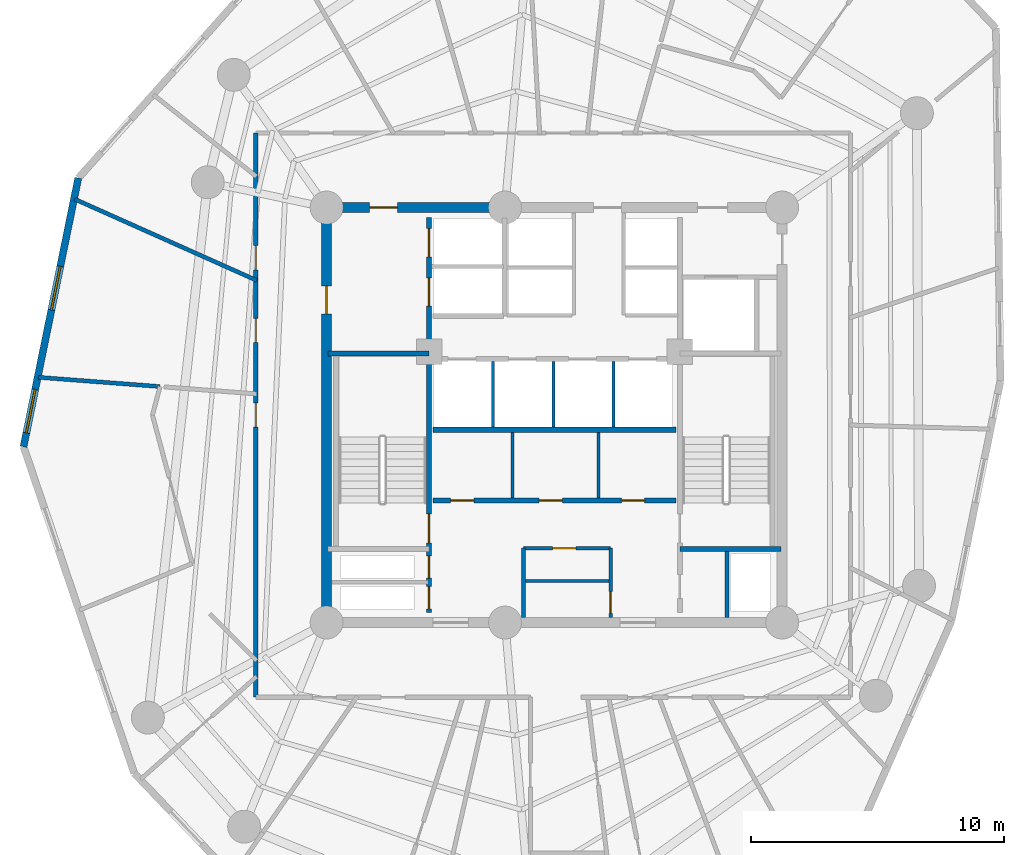
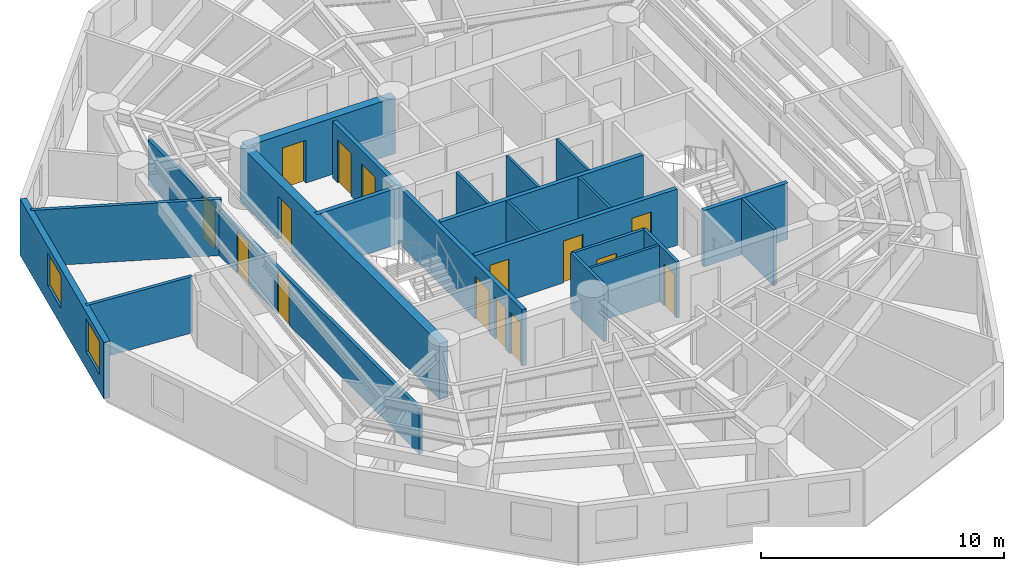
# One storey, part 4 of 8: 21 walls, 15 doors, 2 windows, 17 openings.
"""IFC4 building model written with IfcOpenShell, lengths in metres."""

from ifc_helpers import new_model, si_unit, direction, frame, frame_2d, origin, origin_with_axes, place, context, subcontext, project, spatial, rectangle, extrude, source, transform, mapped, material, layer, layer_set, type_object, element, fill, save


model = new_model("IFC4")

# Units and contexts
model_context = context("Model", 3, precision=1e-05, world=origin(), true_north=direction((0.0, 1.0)))
body_context = subcontext(model_context, "Body", "Model", "MODEL_VIEW")
ifc_project = project(units=[si_unit("LENGTHUNIT", "METRE"), si_unit("AREAUNIT", "SQUARE_METRE"), si_unit("VOLUMEUNIT", "CUBIC_METRE"), si_unit("PLANEANGLEUNIT", "RADIAN"), si_unit("MASSUNIT", "GRAM", prefix="KILO")], contexts=[model_context])

# Site, building, storey
site_placement = place(None, origin())
site = spatial("IfcSite", under=ifc_project, at=site_placement, CompositionType="ELEMENT")
building_placement = place(site_placement, origin())
building = spatial("IfcBuilding", under=site, at=building_placement, Name="Karkom Vertical University and Central Library", CompositionType="ELEMENT")
storey_placement = place(building_placement, frame((0.0, 0.0, 159.60009765625)))
storey = spatial("IfcBuildingStorey", under=building, at=storey_placement, Name="L45", CompositionType="ELEMENT", Elevation=159.60009765625)

# Wall, openings, windows
ifc_material_1 = material(Name="Brick-faced precast concrete C45/55", Category="masonry")
ifc_layer_1 = layer(ifc_material_1, 0.280029296875)
ifc_layer_set_1 = layer_set([ifc_layer_1], Name="Brick-faced precast concrete C45/55")
wall_type_1 = type_object("IfcWallType", Name="ENV-WL-BRK-280", PredefinedType="SOLIDWALL", material=ifc_layer_set_1)
wall_1_placement = place(storey_placement, frame((9.686279296875, 35.86572265625, 0.0), z_axis=(0.0, 0.0, 1.0), x_axis=(-0.199709805004, -0.979855088156, 0.0)))
wall_1 = element("IfcWall", 1, at=wall_1_placement, inside=storey, type_object=wall_type_1, Name="Level 45 Brick-Faced Precast Facade Wall 01", PredefinedType="SOLIDWALL", context=body_context, shape_type="SweptSolid", body=[
    extrude(rectangle(XDim=10.839599609375, YDim=0.280029296875, at=frame_2d((5.419921875, 0.0))), origin(), (0.0, 0.0, 1.0), 2.824951171875),
])
opening_1_placement = place(wall_1_placement, frame((3.565185546875, 0.0, 0.85009765625)))
opening_1 = element("IfcOpeningElement", 2, at=opening_1_placement, cuts=wall_1, Name="Opening WN-08", PredefinedType="OPENING", context=body_context, shape_type="SweptSolid", body=[
    extrude(rectangle(XDim=1.75, YDim=1.64990234375, at=frame_2d((0.875, 0.824951171875))), frame((0.0, 0.14990234375, 0.0), z_axis=(0.0, -1.0, 0.0), x_axis=(1.0, 0.0, 0.0)), (0.0, 0.0, 1.0), 0.300048828125),
])
opening_2_placement = place(wall_1_placement, frame((8.528564453125, 0.0, 0.85009765625)))
opening_2 = element("IfcOpeningElement", 3, at=opening_2_placement, cuts=wall_1, Name="Opening WN-08", PredefinedType="OPENING", context=body_context, shape_type="SweptSolid", body=[
    extrude(rectangle(XDim=1.75, YDim=1.64990234375, at=frame_2d((0.875, 0.824951171875))), frame((0.0, 0.14990234375, 0.0), z_axis=(0.0, -1.0, 0.0), x_axis=(1.0, 0.0, 0.0)), (0.0, 0.0, 1.0), 0.300048828125),
])
ifc_material_2 = material(Name="Aluminium thermal-break frame with solar-control IGU", Category="aluminium")
window_type = type_object("IfcWindowType", Name="ENV-WIN-WN-08", PartitioningType="SINGLE_PANEL", PredefinedType="WINDOW", material=ifc_material_2)
shared_shape_1 = source(origin_with_axes(), body_context, "Body", "SweptSolid", [
    extrude(rectangle(XDim=1.75, YDim=1.64990234375, at=frame_2d((0.875, 0.824951171875))), frame((0.0, 0.030029296875, 0.0), z_axis=(0.0, -1.0, 0.0), x_axis=(1.0, 0.0, 0.0)), (0.0, 0.0, 1.0), 0.06005859375),
])
window_1_placement = place(opening_1_placement, origin())
window_1 = element("IfcWindow", 4, at=window_1_placement, inside=storey, type_object=window_type, Name="Level 45 Punched Window 1.1", OverallHeight=1.64990234375, OverallWidth=1.75, PartitioningType="SINGLE_PANEL", PredefinedType="WINDOW", context=body_context, shape_type="MappedRepresentation", body=[
    mapped(shared_shape_1, transform((0.0, 0.0, 0.0), scale=1.0)),
])
fill(opening_1, window_1)
window_2_placement = place(opening_2_placement, origin())
window_2 = element("IfcWindow", 5, at=window_2_placement, inside=storey, type_object=window_type, Name="Level 45 Punched Window 1.2", OverallHeight=1.64990234375, OverallWidth=1.75, PartitioningType="SINGLE_PANEL", PredefinedType="WINDOW", context=body_context, shape_type="MappedRepresentation", body=[
    mapped(shared_shape_1, transform((0.0, 0.0, 0.0), scale=1.0)),
])
fill(opening_2, window_2)

# Wall, openings, doors
ifc_material_3 = material(Name="Insulated metal-stud drywall 160mm", Category="gypsum")
ifc_layer_2 = layer(ifc_material_3, 0.159912109375)
ifc_layer_set_2 = layer_set([ifc_layer_2], Name="Insulated metal-stud drywall 160mm")
wall_type_2 = type_object("IfcWallType", Name="INT-WL-COR-160", PredefinedType="PARTITIONING", material=ifc_layer_set_2)
wall_2_placement = place(storey_placement, frame((16.699951171875, 15.35009765625, 0.0), z_axis=(0.0, 0.0, 1.0), x_axis=(0.0, 1.0, 0.0)))
wall_2 = element("IfcWall", 6, at=wall_2_placement, inside=storey, type_object=wall_type_2, Name="Level 45 Interior Partition Wall L45-CORW-CW-002", PredefinedType="PARTITIONING", context=body_context, shape_type="SweptSolid", body=[
    extrude(rectangle(XDim=22.2998046875, YDim=0.159912109375, at=frame_2d((11.14990234375, 0.0))), origin(), (0.0, 0.0, 1.0), 2.27490234375),
])
opening_3_placement = place(wall_2_placement, frame((10.675048828125, 0.0, 0.0)))
opening_3 = element("IfcOpeningElement", 7, at=opening_3_placement, cuts=wall_2, Name="Opening FD-RM2", PredefinedType="OPENING", context=body_context, shape_type="SweptSolid", body=[
    extrude(rectangle(XDim=0.9599609375, YDim=2.14990234375, at=frame_2d((0.47998046875, 1.074951171875))), frame((0.0, 0.08984375, 0.0), z_axis=(0.0, -1.0, 0.0), x_axis=(1.0, 0.0, 0.0)), (0.0, 0.0, 1.0), 0.179931640625),
])
opening_4_placement = place(wall_2_placement, frame((16.889892578125, 0.0, 0.0)))
opening_4 = element("IfcOpeningElement", 8, at=opening_4_placement, cuts=wall_2, Name="Opening D-RM1", PredefinedType="OPENING", context=body_context, shape_type="SweptSolid", body=[
    extrude(rectangle(XDim=0.949951171875, YDim=2.14990234375, at=frame_2d((0.47509765625, 1.074951171875))), frame((0.0, 0.08984375, 0.0), z_axis=(0.0, -1.0, 0.0), x_axis=(1.0, 0.0, 0.0)), (0.0, 0.0, 1.0), 0.179931640625),
])
opening_5_placement = place(wall_2_placement, frame((14.02001953125, 0.0, 0.0)))
opening_5 = element("IfcOpeningElement", 9, at=opening_5_placement, cuts=wall_2, Name="Opening D-RM1", PredefinedType="OPENING", context=body_context, shape_type="SweptSolid", body=[
    extrude(rectangle(XDim=0.949951171875, YDim=2.14990234375, at=frame_2d((0.47509765625, 1.074951171875))), frame((0.0, 0.08984375, 0.0), z_axis=(0.0, -1.0, 0.0), x_axis=(1.0, 0.0, 0.0)), (0.0, 0.0, 1.0), 0.179931640625),
])
ifc_material_4 = material(Name="Fire-rated oak veneer door", Category="wood")
door_type_1 = type_object("IfcDoorType", Name="INT-DR-FRM2", OperationType="NOTDEFINED", PredefinedType="DOOR", material=ifc_material_4)
shared_shape_2 = source(origin_with_axes(), body_context, "Body", "SweptSolid", [
    extrude(rectangle(XDim=0.9599609375, YDim=2.14990234375, at=frame_2d((0.47998046875, 1.074951171875))), frame((0.0, 0.02490234375, 0.0), z_axis=(0.0, -1.0, 0.0), x_axis=(1.0, 0.0, 0.0)), (0.0, 0.0, 1.0), 0.050048828125),
])
door_1_placement = place(opening_3_placement, origin())
door_1 = element("IfcDoor", 10, at=door_1_placement, inside=storey, type_object=door_type_1, Name="Level 45 Room Entry Door 010", OperationType="SINGLE_SWING_LEFT", OverallHeight=2.14990234375, OverallWidth=0.9599609375, PredefinedType="DOOR", context=body_context, shape_type="MappedRepresentation", body=[
    mapped(shared_shape_2, transform((0.0, 0.0, 0.0), scale=1.0)),
])
fill(opening_3, door_1)
ifc_material_5 = material(Name="Solid-core oak veneer door", Category="wood")
door_type_2 = type_object("IfcDoorType", Name="INT-DR-RM1", OperationType="NOTDEFINED", PredefinedType="DOOR", material=ifc_material_5)
shared_shape_3 = source(origin_with_axes(), body_context, "Body", "SweptSolid", [
    extrude(rectangle(XDim=0.949951171875, YDim=2.14990234375, at=frame_2d((0.47509765625, 1.074951171875))), frame((0.0, 0.02490234375, 0.0), z_axis=(0.0, -1.0, 0.0), x_axis=(1.0, 0.0, 0.0)), (0.0, 0.0, 1.0), 0.050048828125),
])
door_2_placement = place(opening_4_placement, origin())
door_2 = element("IfcDoor", 11, at=door_2_placement, inside=storey, type_object=door_type_2, Name="Level 45 Room Entry Door 240", OperationType="SINGLE_SWING_LEFT", OverallHeight=2.14990234375, OverallWidth=0.949951171875, PredefinedType="DOOR", context=body_context, shape_type="MappedRepresentation", body=[
    mapped(shared_shape_3, transform((0.0, 0.0, 0.0), scale=1.0)),
])
fill(opening_4, door_2)
door_3_placement = place(opening_5_placement, origin())
door_3 = element("IfcDoor", 12, at=door_3_placement, inside=storey, type_object=door_type_2, Name="Level 45 Room Entry Door 250", OperationType="SINGLE_SWING_RIGHT", OverallHeight=2.14990234375, OverallWidth=0.949951171875, PredefinedType="DOOR", context=body_context, shape_type="MappedRepresentation", body=[
    mapped(shared_shape_3, transform((0.0, 0.0, 0.0), scale=1.0)),
])
fill(opening_5, door_3)

# Walls
wall_3_placement = place(storey_placement, frame((16.7412109375, 31.817626953125, 0.0), z_axis=(0.0, 0.0, 1.0), x_axis=(-0.913075700015, 0.407790100471, 0.0)))
element("IfcWall", 13, at=wall_3_placement, inside=storey, type_object=wall_type_2, Name="Level 45 Interior Partition Wall L45-PW-038", PredefinedType="PARTITIONING", context=body_context, shape_type="SweptSolid", body=[
    extrude(rectangle(XDim=7.883056640625, YDim=0.159912109375, at=frame_2d((3.94140625, 0.0))), origin(), (0.0, 0.0, 1.0), 2.824951171875),
])
wall_4_placement = place(storey_placement, frame((8.107421875, 27.990966796875, 0.0), z_axis=(0.0, 0.0, 1.0), x_axis=(0.997119600908, -0.075845246956, 0.0)))
element("IfcWall", 14, at=wall_4_placement, inside=storey, type_object=wall_type_2, Name="Level 45 Interior Partition Wall L45-PW-004", PredefinedType="PARTITIONING", context=body_context, shape_type="SweptSolid", body=[
    extrude(rectangle(XDim=4.8251953125, YDim=0.159912109375, at=frame_2d((2.41259765625, 0.0))), origin(), (0.0, 0.0, 1.0), 2.824951171875),
])
ifc_material_6 = material(Name="Moisture-resistant drywall 120mm", Category="gypsum")
ifc_layer_3 = layer(ifc_material_6, 0.1201171875)
ifc_layer_set_3 = layer_set([ifc_layer_3], Name="Moisture-resistant drywall 120mm")
wall_type_3 = type_object("IfcWallType", Name="INT-WL-INT-120", PredefinedType="PARTITIONING", material=ifc_layer_set_3)
wall_5_placement = place(storey_placement, frame((27.280029296875, 19.93994140625, 0.0), z_axis=(0.0, 0.0, 1.0), x_axis=(1.0, 0.0, 0.0)))
element("IfcWall", 15, at=wall_5_placement, inside=storey, type_object=wall_type_3, Name="Level 45 Interior Partition Wall L45-CW-K4-DIV", PredefinedType="PARTITIONING", context=body_context, shape_type="SweptSolid", body=[
    extrude(rectangle(XDim=3.43994140625, YDim=0.1201171875, at=frame_2d((1.719970703125, 0.0))), origin(), (0.0, 0.0, 1.0), 2.824951171875),
])
for number, where, z_axis, x_axis, name in (
    (16, (26.85009765625, 23.22705078125, 0.0), (0.0, 0.0, 1.0), (0.0, 1.0, 0.0), "Level 45 Interior Partition Wall L45-CW-B1-K4A"),
    (17, (30.25, 23.22705078125, 0.0), (0.0, 0.0, 1.0), (0.0, 1.0, 0.0), "Level 45 Interior Partition Wall L45-CW-B1-K4B"),
):
    element("IfcWall", number, at=place(storey_placement, frame(where, z_axis=z_axis, x_axis=x_axis)), inside=storey, type_object=wall_type_3, Name=name, PredefinedType="PARTITIONING", context=body_context, shape_type="SweptSolid", body=[
        extrude(rectangle(XDim=2.586669921875, YDim=0.1201171875, at=frame_2d((1.29345703125, 0.0))), origin(), (0.0, 0.0, 1.0), 2.824951171875),
    ])
ifc_layer_4 = layer(ifc_material_6, 0.1201171875)
ifc_layer_set_4 = layer_set([ifc_layer_4], Name="Moisture-resistant drywall 120mm")
wall_type_4 = type_object("IfcWallType", Name="INT-WL-INT-120H", PredefinedType="PARTITIONING", material=ifc_layer_set_4)
for number, where, z_axis, x_axis, name in (
    (18, (26.080078125, 26.02001953125, 0.0), (0.0, 0.0, 1.0), (0.0, 1.0, 0.0), "Level 45 Interior Partition Wall L45-CW-PM-DIV1"),
    (19, (28.4599609375, 26.02001953125, 0.0), (0.0, 0.0, 1.0), (0.0, 1.0, 0.0), "Level 45 Interior Partition Wall L45-CW-PM-DIV2"),
    (20, (30.840087890625, 26.02001953125, 0.0), (0.0, 0.0, 1.0), (0.0, 1.0, 0.0), "Level 45 Interior Partition Wall L45-CW-PM-DIV3"),
):
    element("IfcWall", number, at=place(storey_placement, frame(where, z_axis=z_axis, x_axis=x_axis)), inside=storey, type_object=wall_type_4, Name=name, PredefinedType="PARTITIONING", context=body_context, shape_type="SweptSolid", body=[
        extrude(rectangle(XDim=2.60009765625, YDim=0.1201171875, at=frame_2d((1.300048828125, 0.0))), origin(), (0.0, 0.0, 1.0), 2.824951171875),
    ])

# Wall, opening, door
ifc_material_7 = material(Name="Metal-stud gypsum partition 140mm", Category="gypsum")
ifc_layer_5 = layer(ifc_material_7, 0.139892578125)
ifc_layer_set_5 = layer_set([ifc_layer_5], Name="Metal-stud gypsum partition 140mm")
wall_type_5 = type_object("IfcWallType", Name="INT-WL-SUB-140", PredefinedType="PARTITIONING", material=ifc_layer_set_5)
wall_6_placement = place(storey_placement, frame((27.280029296875, 21.239990234375, 0.0), z_axis=(0.0, 0.0, 1.0), x_axis=(1.0, 0.0, 0.0)))
wall_6 = element("IfcWall", 21, at=wall_6_placement, inside=storey, type_object=wall_type_5, Name="Level 45 Interior Partition Wall L45-CW-KBAY-N", PredefinedType="PARTITIONING", context=body_context, shape_type="SweptSolid", body=[
    extrude(rectangle(XDim=3.43994140625, YDim=0.139892578125, at=frame_2d((1.719970703125, 0.0))), origin(), (0.0, 0.0, 1.0), 2.824951171875),
])
opening_6_placement = place(wall_6_placement, frame((1.14990234375, 0.0, 0.0)))
opening_6 = element("IfcOpeningElement", 22, at=opening_6_placement, cuts=wall_6, Name="Opening D-SVC1", PredefinedType="OPENING", context=body_context, shape_type="SweptSolid", body=[
    extrude(rectangle(XDim=0.919921875, YDim=2.10009765625, at=frame_2d((0.4599609375, 1.050048828125))), frame((0.0, 0.080078125, 0.0), z_axis=(0.0, -1.0, 0.0), x_axis=(1.0, 0.0, 0.0)), (0.0, 0.0, 1.0), 0.159912109375),
])
ifc_material_8 = material(Name="Painted timber service door", Category="wood")
door_type_3 = type_object("IfcDoorType", Name="INT-DR-SVC1", OperationType="NOTDEFINED", PredefinedType="DOOR", material=ifc_material_8)
shared_shape_4 = source(origin_with_axes(), body_context, "Body", "SweptSolid", [
    extrude(rectangle(XDim=0.919921875, YDim=2.10009765625, at=frame_2d((0.4599609375, 1.050048828125))), frame((0.0, 0.02490234375, 0.0), z_axis=(0.0, -1.0, 0.0), x_axis=(1.0, 0.0, 0.0)), (0.0, 0.0, 1.0), 0.050048828125),
])
door_4_placement = place(opening_6_placement, origin())
door_4 = element("IfcDoor", 23, at=door_4_placement, inside=storey, type_object=door_type_3, Name="Level 45 Valve Cupboard Door", OperationType="SINGLE_SWING_RIGHT", OverallHeight=2.10009765625, OverallWidth=0.919921875, PredefinedType="DOOR", context=body_context, shape_type="MappedRepresentation", body=[
    mapped(shared_shape_4, transform((0.0, 0.0, 0.0), scale=1.0)),
])
fill(opening_6, door_4)

# Wall
wall_7_placement = place(storey_placement, frame((27.280029296875, 18.507080078125, 0.0), z_axis=(0.0, 0.0, 1.0), x_axis=(0.0, 1.0, 0.0)))
element("IfcWall", 24, at=wall_7_placement, inside=storey, type_object=wall_type_5, Name="Level 45 Interior Partition Wall L45-CW-KBAY-W", PredefinedType="PARTITIONING", context=body_context, shape_type="SweptSolid", body=[
    extrude(rectangle(XDim=2.73291015625, YDim=0.139892578125, at=frame_2d((1.366455078125, 0.0))), origin(), (0.0, 0.0, 1.0), 2.824951171875),
])

# Wall, opening, door
wall_8_placement = place(storey_placement, frame((30.719970703125, 18.507080078125, 0.0), z_axis=(0.0, 0.0, 1.0), x_axis=(0.0, 1.0, 0.0)))
wall_8 = element("IfcWall", 25, at=wall_8_placement, inside=storey, type_object=wall_type_5, Name="Level 45 Interior Partition Wall L45-CW-KBAY-E", PredefinedType="PARTITIONING", context=body_context, shape_type="SweptSolid", body=[
    extrude(rectangle(XDim=2.73291015625, YDim=0.139892578125, at=frame_2d((1.366455078125, 0.0))), origin(), (0.0, 0.0, 1.0), 2.824951171875),
])
opening_7_placement = place(wall_8_placement, frame((0.159912109375, 0.0, 0.0)))
opening_7 = element("IfcOpeningElement", 26, at=opening_7_placement, cuts=wall_8, Name="Opening FD-BTH1", PredefinedType="OPENING", context=body_context, shape_type="SweptSolid", body=[
    extrude(rectangle(XDim=0.860107421875, YDim=2.10009765625, at=frame_2d((0.43017578125, 1.050048828125))), frame((0.0, 0.080078125, 0.0), z_axis=(0.0, -1.0, 0.0), x_axis=(1.0, 0.0, 0.0)), (0.0, 0.0, 1.0), 0.159912109375),
])
ifc_material_9 = material(Name="Fire-rated moisture-resistant oak door", Category="wood")
door_type_4 = type_object("IfcDoorType", Name="INT-DR-FBTH1", OperationType="NOTDEFINED", PredefinedType="DOOR", material=ifc_material_9)
shared_shape_5 = source(origin_with_axes(), body_context, "Body", "SweptSolid", [
    extrude(rectangle(XDim=0.860107421875, YDim=2.10009765625, at=frame_2d((0.43017578125, 1.050048828125))), frame((0.0, 0.02490234375, 0.0), z_axis=(0.0, -1.0, 0.0), x_axis=(1.0, 0.0, 0.0)), (0.0, 0.0, 1.0), 0.050048828125),
])
door_5_placement = place(opening_7_placement, origin())
door_5 = element("IfcDoor", 27, at=door_5_placement, inside=storey, type_object=door_type_4, Name="Level 45 Metering Cupboard Door", OperationType="SINGLE_SWING_LEFT", OverallHeight=2.10009765625, OverallWidth=0.860107421875, PredefinedType="DOOR", context=body_context, shape_type="MappedRepresentation", body=[
    mapped(shared_shape_5, transform((0.0, 0.0, 0.0), scale=1.0)),
])
fill(opening_7, door_5)

# Wall
ifc_layer_6 = layer(ifc_material_7, 0.139892578125)
ifc_layer_set_6 = layer_set([ifc_layer_6], Name="Metal-stud gypsum partition 140mm")
wall_type_6 = type_object("IfcWallType", Name="INT-WL-SUB-140H", PredefinedType="PARTITIONING", material=ifc_layer_set_6)
wall_9_placement = place(storey_placement, frame((35.320068359375, 18.507080078125, 0.0), z_axis=(0.0, 0.0, 1.0), x_axis=(0.0, 1.0, 0.0)))
element("IfcWall", 28, at=wall_9_placement, inside=storey, type_object=wall_type_6, Name="Level 45 Interior Partition Wall L45-CW-RIS-E", PredefinedType="PARTITIONING", context=body_context, shape_type="SweptSolid", body=[
    extrude(rectangle(XDim=2.603759765625, YDim=0.139892578125, at=frame_2d((1.3017578125, 0.0))), origin(), (0.0, 0.0, 1.0), 2.824951171875),
])

# Wall, opening, door
ifc_material_10 = material(Name="Concrete C50/60", Category="concrete")
ifc_layer_7 = layer(ifc_material_10, 0.39990234375)
ifc_layer_set_7 = layer_set([ifc_layer_7], Name="Concrete C50/60")
wall_type_7 = type_object("IfcWallType", Name="STR-WL-CW-400", PredefinedType="SHEAR", material=ifc_layer_set_7)
wall_10_placement = place(storey_placement, frame((26.550048828125, 34.699951171875, 0.0), z_axis=(0.0, 0.0, 1.0), x_axis=(-1.0, 0.0, 0.0)))
wall_10 = element("IfcWall", 29, at=wall_10_placement, inside=storey, type_object=wall_type_7, Name="Level 45 Central Core Shear Wall NW2", PredefinedType="SHEAR", context=body_context, shape_type="SweptSolid", body=[
    extrude(rectangle(XDim=7.050048828125, YDim=0.39990234375, at=frame_2d((3.52490234375, 0.0))), origin(), (0.0, 0.0, 1.0), 2.824951171875),
])
opening_8_placement = place(wall_10_placement, frame((4.25, 0.0, 0.0)))
opening_8 = element("IfcOpeningElement", 30, at=opening_8_placement, cuts=wall_10, Name="Opening FD-FFL", PredefinedType="OPENING", context=body_context, shape_type="SweptSolid", body=[
    extrude(rectangle(XDim=1.10009765625, YDim=2.14990234375, at=frame_2d((0.550048828125, 1.074951171875))), frame((0.0, 0.2099609375, 0.0), z_axis=(0.0, -1.0, 0.0), x_axis=(1.0, 0.0, 0.0)), (0.0, 0.0, 1.0), 0.419921875),
])
ifc_material_11 = material(Name="Painted steel smoke-seal fire door", Category="steel")
door_type_5 = type_object("IfcDoorType", Name="INT-DR-FFL", OperationType="NOTDEFINED", PredefinedType="DOOR", material=ifc_material_11)
shared_shape_6 = source(origin_with_axes(), body_context, "Body", "SweptSolid", [
    extrude(rectangle(XDim=1.10009765625, YDim=2.14990234375, at=frame_2d((0.550048828125, 1.074951171875))), frame((0.0, 0.02490234375, 0.0), z_axis=(0.0, -1.0, 0.0), x_axis=(1.0, 0.0, 0.0)), (0.0, 0.0, 1.0), 0.050048828125),
])
door_6_placement = place(opening_8_placement, origin())
door_6 = element("IfcDoor", 31, at=door_6_placement, inside=storey, type_object=door_type_5, Name="Level 45 Firefighting Lobby Door", OperationType="SINGLE_SWING_RIGHT", OverallHeight=2.14990234375, OverallWidth=1.10009765625, PredefinedType="DOOR", context=body_context, shape_type="MappedRepresentation", body=[
    mapped(shared_shape_6, transform((0.0, 0.0, 0.0), scale=1.0)),
])
fill(opening_8, door_6)

wall_11_placement = place(storey_placement, frame((19.5, 34.699951171875, 0.0), z_axis=(0.0, 0.0, 1.0), x_axis=(0.0, -1.0, 0.0)))
wall_11 = element("IfcWall", 32, at=wall_11_placement, inside=storey, type_object=wall_type_7, Name="Level 45 Central Core Shear Wall WW", PredefinedType="SHEAR", context=body_context, shape_type="SweptSolid", body=[
    extrude(rectangle(XDim=16.39990234375, YDim=0.39990234375, at=frame_2d((8.199951171875, 0.0))), origin(), (0.0, 0.0, 1.0), 2.824951171875),
])
opening_9_placement = place(wall_11_placement, frame((3.10009765625, 0.0, 0.0)))
opening_9 = element("IfcOpeningElement", 33, at=opening_9_placement, cuts=wall_11, Name="Opening FD-FFL", PredefinedType="OPENING", context=body_context, shape_type="SweptSolid", body=[
    extrude(rectangle(XDim=1.10009765625, YDim=2.14990234375, at=frame_2d((0.550048828125, 1.074951171875))), frame((0.0, 0.2099609375, 0.0), z_axis=(0.0, -1.0, 0.0), x_axis=(1.0, 0.0, 0.0)), (0.0, 0.0, 1.0), 0.419921875),
])
door_7_placement = place(opening_9_placement, origin())
door_7 = element("IfcDoor", 34, at=door_7_placement, inside=storey, type_object=door_type_5, Name="Level 45 West Corridor Firefighting Lobby Door", OperationType="SINGLE_SWING_LEFT", OverallHeight=2.14990234375, OverallWidth=1.10009765625, PredefinedType="DOOR", context=body_context, shape_type="MappedRepresentation", body=[
    mapped(shared_shape_6, transform((0.0, 0.0, 0.0), scale=1.0)),
])
fill(opening_9, door_7)

# Wall, openings, doors
ifc_material_12 = material(Name="Concrete C45/55", Category="concrete")
ifc_layer_8 = layer(ifc_material_12, 0.199951171875)
ifc_layer_set_8 = layer_set([ifc_layer_8], Name="Concrete C45/55")
wall_type_8 = type_object("IfcWallType", Name="STR-WL-ST-200", PredefinedType="SHEAR", material=ifc_layer_set_8)
wall_12_placement = place(storey_placement, frame((23.544921875, 18.699951171875, 0.0), z_axis=(0.0, 0.0, 1.0), x_axis=(0.0, 1.0, 0.0)))
wall_12 = element("IfcWall", 35, at=wall_12_placement, inside=storey, type_object=wall_type_8, Name="Level 45 Core Shaft Wall L45-CW-ST1-E", PredefinedType="SHEAR", context=body_context, shape_type="SweptSolid", body=[
    extrude(rectangle(XDim=15.60009765625, YDim=0.199951171875, at=frame_2d((7.800048828125, 0.0))), origin(), (0.0, 0.0, 1.0), 2.824951171875),
])
opening_10_placement = place(wall_12_placement, frame((2.75, 0.0, 0.0)))
opening_10 = element("IfcOpeningElement", 36, at=opening_10_placement, cuts=wall_12, Name="Opening FD-ST1", PredefinedType="OPENING", context=body_context, shape_type="SweptSolid", body=[
    extrude(rectangle(XDim=1.14990234375, YDim=2.14990234375, at=frame_2d((0.574951171875, 1.074951171875))), frame((0.0, 0.10986328125, 0.0), z_axis=(0.0, -1.0, 0.0), x_axis=(1.0, 0.0, 0.0)), (0.0, 0.0, 1.0), 0.219970703125),
])
opening_11_placement = place(wall_12_placement, frame((0.139892578125, 0.0, 0.0)))
opening_11 = element("IfcOpeningElement", 37, at=opening_11_placement, cuts=wall_12, Name="Opening FD-RIS", PredefinedType="OPENING", context=body_context, shape_type="SweptSolid", body=[
    extrude(rectangle(XDim=0.8798828125, YDim=2.10009765625, at=frame_2d((0.43994140625, 1.050048828125))), frame((0.0, 0.10986328125, 0.0), z_axis=(0.0, -1.0, 0.0), x_axis=(1.0, 0.0, 0.0)), (0.0, 0.0, 1.0), 0.219970703125),
])
opening_12_placement = place(wall_12_placement, frame((1.360107421875, 0.0, 0.0)))
opening_12 = element("IfcOpeningElement", 38, at=opening_12_placement, cuts=wall_12, Name="Opening FD-RIS", PredefinedType="OPENING", context=body_context, shape_type="SweptSolid", body=[
    extrude(rectangle(XDim=0.8798828125, YDim=2.10009765625, at=frame_2d((0.43994140625, 1.050048828125))), frame((0.0, 0.10986328125, 0.0), z_axis=(0.0, -1.0, 0.0), x_axis=(1.0, 0.0, 0.0)), (0.0, 0.0, 1.0), 0.219970703125),
])
opening_13_placement = place(wall_12_placement, frame((12.10009765625, 0.0, 0.0)))
opening_13 = element("IfcOpeningElement", 39, at=opening_13_placement, cuts=wall_12, Name="Opening LD-FFL", PredefinedType="OPENING", context=body_context, shape_type="SweptSolid", body=[
    extrude(rectangle(XDim=1.1201171875, YDim=2.14990234375, at=frame_2d((0.56005859375, 1.074951171875))), frame((0.0, 0.10986328125, 0.0), z_axis=(0.0, -1.0, 0.0), x_axis=(1.0, 0.0, 0.0)), (0.0, 0.0, 1.0), 0.219970703125),
])
opening_14_placement = place(wall_12_placement, frame((14.050048828125, 0.0, 0.0)))
opening_14 = element("IfcOpeningElement", 40, at=opening_14_placement, cuts=wall_12, Name="Opening LD-FFL", PredefinedType="OPENING", context=body_context, shape_type="SweptSolid", body=[
    extrude(rectangle(XDim=1.1201171875, YDim=2.14990234375, at=frame_2d((0.56005859375, 1.074951171875))), frame((0.0, 0.10986328125, 0.0), z_axis=(0.0, -1.0, 0.0), x_axis=(1.0, 0.0, 0.0)), (0.0, 0.0, 1.0), 0.219970703125),
])
ifc_material_13 = material(Name="Painted steel acoustic fire door", Category="steel")
door_type_6 = type_object("IfcDoorType", Name="INT-DR-ST1", OperationType="NOTDEFINED", PredefinedType="DOOR", material=ifc_material_13)
shared_shape_7 = source(origin_with_axes(), body_context, "Body", "SweptSolid", [
    extrude(rectangle(XDim=1.14990234375, YDim=2.14990234375, at=frame_2d((0.574951171875, 1.074951171875))), frame((0.0, 0.02490234375, 0.0), z_axis=(0.0, -1.0, 0.0), x_axis=(1.0, 0.0, 0.0)), (0.0, 0.0, 1.0), 0.050048828125),
])
door_8_placement = place(opening_10_placement, origin())
door_8 = element("IfcDoor", 41, at=door_8_placement, inside=storey, type_object=door_type_6, Name="Level 45 Stair ST-1 Fire Door", OperationType="SINGLE_SWING_RIGHT", OverallHeight=2.14990234375, OverallWidth=1.14990234375, PredefinedType="DOOR", context=body_context, shape_type="MappedRepresentation", body=[
    mapped(shared_shape_7, transform((0.0, 0.0, 0.0), scale=1.0)),
])
fill(opening_10, door_8)
ifc_material_14 = material(Name="Painted steel riser access door", Category="steel")
door_type_7 = type_object("IfcDoorType", Name="INT-DR-RIS", OperationType="NOTDEFINED", PredefinedType="DOOR", material=ifc_material_14)
shared_shape_8 = source(origin_with_axes(), body_context, "Body", "SweptSolid", [
    extrude(rectangle(XDim=0.8798828125, YDim=2.10009765625, at=frame_2d((0.43994140625, 1.050048828125))), frame((0.0, 0.02490234375, 0.0), z_axis=(0.0, -1.0, 0.0), x_axis=(1.0, 0.0, 0.0)), (0.0, 0.0, 1.0), 0.050048828125),
])
door_9_placement = place(opening_11_placement, origin())
door_9 = element("IfcDoor", 42, at=door_9_placement, inside=storey, type_object=door_type_7, Name="Level 45 Electrical Riser Access Door", OperationType="SINGLE_SWING_RIGHT", OverallHeight=2.10009765625, OverallWidth=0.8798828125, PredefinedType="DOOR", context=body_context, shape_type="MappedRepresentation", body=[
    mapped(shared_shape_8, transform((0.0, 0.0, 0.0), scale=1.0)),
])
fill(opening_11, door_9)
door_10_placement = place(opening_12_placement, origin())
door_10 = element("IfcDoor", 43, at=door_10_placement, inside=storey, type_object=door_type_7, Name="Level 45 Telecom Riser Access Door", OperationType="SINGLE_SWING_LEFT", OverallHeight=2.10009765625, OverallWidth=0.8798828125, PredefinedType="DOOR", context=body_context, shape_type="MappedRepresentation", body=[
    mapped(shared_shape_8, transform((0.0, 0.0, 0.0), scale=1.0)),
])
fill(opening_12, door_10)
ifc_material_15 = material(Name="Fire-rated stainless-steel landing door", Category="steel")
door_type_8 = type_object("IfcDoorType", Name="INT-DR-LD-FFL", OperationType="SLIDING_TO_LEFT", PredefinedType="DOOR", material=ifc_material_15)
shared_shape_9 = source(origin_with_axes(), body_context, "Body", "SweptSolid", [
    extrude(rectangle(XDim=1.1201171875, YDim=2.14990234375, at=frame_2d((0.56005859375, 1.074951171875))), frame((0.0, 0.02490234375, 0.0), z_axis=(0.0, -1.0, 0.0), x_axis=(1.0, 0.0, 0.0)), (0.0, 0.0, 1.0), 0.050048828125),
])
door_11_placement = place(opening_13_placement, origin())
door_11 = element("IfcDoor", 44, at=door_11_placement, inside=storey, type_object=door_type_8, Name="Level 45 Firefighting Lift FFL-1 Landing Door", OperationType="SLIDING_TO_LEFT", OverallHeight=2.14990234375, OverallWidth=1.1201171875, PredefinedType="DOOR", context=body_context, shape_type="MappedRepresentation", body=[
    mapped(shared_shape_9, transform((0.0, 0.0, 0.0), scale=1.0)),
])
fill(opening_13, door_11)
door_12_placement = place(opening_14_placement, origin())
door_12 = element("IfcDoor", 45, at=door_12_placement, inside=storey, type_object=door_type_8, Name="Level 45 Firefighting Lift FFL-2 Landing Door", OperationType="SLIDING_TO_RIGHT", OverallHeight=2.14990234375, OverallWidth=1.1201171875, PredefinedType="DOOR", context=body_context, shape_type="MappedRepresentation", body=[
    mapped(shared_shape_9, transform((0.0, 0.0, 0.0), scale=1.0)),
])
fill(opening_14, door_12)

wall_13_placement = place(storey_placement, frame((23.699951171875, 23.1201171875, 0.0), z_axis=(0.0, 0.0, 1.0), x_axis=(1.0, 0.0, 0.0)))
wall_13 = element("IfcWall", 46, at=wall_13_placement, inside=storey, type_object=wall_type_8, Name="Level 45 Core Shaft Wall L45-CW-B1-S", PredefinedType="SHEAR", context=body_context, shape_type="SweptSolid", body=[
    extrude(rectangle(XDim=9.60009765625, YDim=0.199951171875, at=frame_2d((4.800048828125, 0.0))), origin(), (0.0, 0.0, 1.0), 2.824951171875),
])
opening_15_placement = place(wall_13_placement, frame((0.699951171875, 0.0, 0.0)))
opening_15 = element("IfcOpeningElement", 47, at=opening_15_placement, cuts=wall_13, Name="Opening D-SVC1", PredefinedType="OPENING", context=body_context, shape_type="SweptSolid", body=[
    extrude(rectangle(XDim=0.919921875, YDim=2.10009765625, at=frame_2d((0.4599609375, 1.050048828125))), frame((0.0, 0.10986328125, 0.0), z_axis=(0.0, -1.0, 0.0), x_axis=(1.0, 0.0, 0.0)), (0.0, 0.0, 1.0), 0.219970703125),
])
opening_16_placement = place(wall_13_placement, frame((4.199951171875, 0.0, 0.0)))
opening_16 = element("IfcOpeningElement", 48, at=opening_16_placement, cuts=wall_13, Name="Opening D-SVC1", PredefinedType="OPENING", context=body_context, shape_type="SweptSolid", body=[
    extrude(rectangle(XDim=0.919921875, YDim=2.10009765625, at=frame_2d((0.4599609375, 1.050048828125))), frame((0.0, 0.10986328125, 0.0), z_axis=(0.0, -1.0, 0.0), x_axis=(1.0, 0.0, 0.0)), (0.0, 0.0, 1.0), 0.219970703125),
])
opening_17_placement = place(wall_13_placement, frame((7.449951171875, 0.0, 0.0)))
opening_17 = element("IfcOpeningElement", 49, at=opening_17_placement, cuts=wall_13, Name="Opening D-SVC1", PredefinedType="OPENING", context=body_context, shape_type="SweptSolid", body=[
    extrude(rectangle(XDim=0.919921875, YDim=2.10009765625, at=frame_2d((0.4599609375, 1.050048828125))), frame((0.0, 0.10986328125, 0.0), z_axis=(0.0, -1.0, 0.0), x_axis=(1.0, 0.0, 0.0)), (0.0, 0.0, 1.0), 0.219970703125),
])
door_13_placement = place(opening_15_placement, origin())
door_13 = element("IfcDoor", 50, at=door_13_placement, inside=storey, type_object=door_type_3, Name="Level 45 B1 Store A Door", OperationType="SINGLE_SWING_LEFT", OverallHeight=2.10009765625, OverallWidth=0.919921875, PredefinedType="DOOR", context=body_context, shape_type="MappedRepresentation", body=[
    mapped(shared_shape_4, transform((0.0, 0.0, 0.0), scale=1.0)),
])
fill(opening_15, door_13)
door_14_placement = place(opening_16_placement, origin())
door_14 = element("IfcDoor", 51, at=door_14_placement, inside=storey, type_object=door_type_3, Name="Level 45 B1 Comms Door", OperationType="SINGLE_SWING_RIGHT", OverallHeight=2.10009765625, OverallWidth=0.919921875, PredefinedType="DOOR", context=body_context, shape_type="MappedRepresentation", body=[
    mapped(shared_shape_4, transform((0.0, 0.0, 0.0), scale=1.0)),
])
fill(opening_16, door_14)
door_15_placement = place(opening_17_placement, origin())
door_15 = element("IfcDoor", 52, at=door_15_placement, inside=storey, type_object=door_type_3, Name="Level 45 B1 Store C Door", OperationType="SINGLE_SWING_LEFT", OverallHeight=2.10009765625, OverallWidth=0.919921875, PredefinedType="DOOR", context=body_context, shape_type="MappedRepresentation", body=[
    mapped(shared_shape_4, transform((0.0, 0.0, 0.0), scale=1.0)),
])
fill(opening_17, door_15)

# Walls
wall_14_placement = place(storey_placement, frame((23.699951171875, 25.919921875, 0.0), z_axis=(0.0, 0.0, 1.0), x_axis=(1.0, 0.0, 0.0)))
element("IfcWall", 53, at=wall_14_placement, inside=storey, type_object=wall_type_8, Name="Level 45 Core Shaft Wall L45-CW-B1-N", PredefinedType="SHEAR", context=body_context, shape_type="SweptSolid", body=[
    extrude(rectangle(XDim=9.60009765625, YDim=0.199951171875, at=frame_2d((4.800048828125, 0.0))), origin(), (0.0, 0.0, 1.0), 2.824951171875),
])
for number, where, z_axis, x_axis, name in (
    (54, (33.455078125, 21.215087890625, 0.0), (0.0, 0.0, 1.0), (1.0, 0.0, 0.0), "Level 45 Core Shaft Wall L45-CW-ST2-S"),
    (55, (19.550048828125, 28.925048828125, 0.0), (0.0, 0.0, 1.0), (1.0, 0.0, 0.0), "Level 45 Core Shaft Wall L45-CW-ST1-N"),
):
    element("IfcWall", number, at=place(storey_placement, frame(where, z_axis=z_axis, x_axis=x_axis)), inside=storey, type_object=wall_type_8, Name=name, PredefinedType="SHEAR", context=body_context, shape_type="SweptSolid", body=[
        extrude(rectangle(XDim=3.994873046875, YDim=0.199951171875, at=frame_2d((1.99755859375, 0.0))), origin(), (0.0, 0.0, 1.0), 2.824951171875),
    ])

save(model, "model.ifc")
